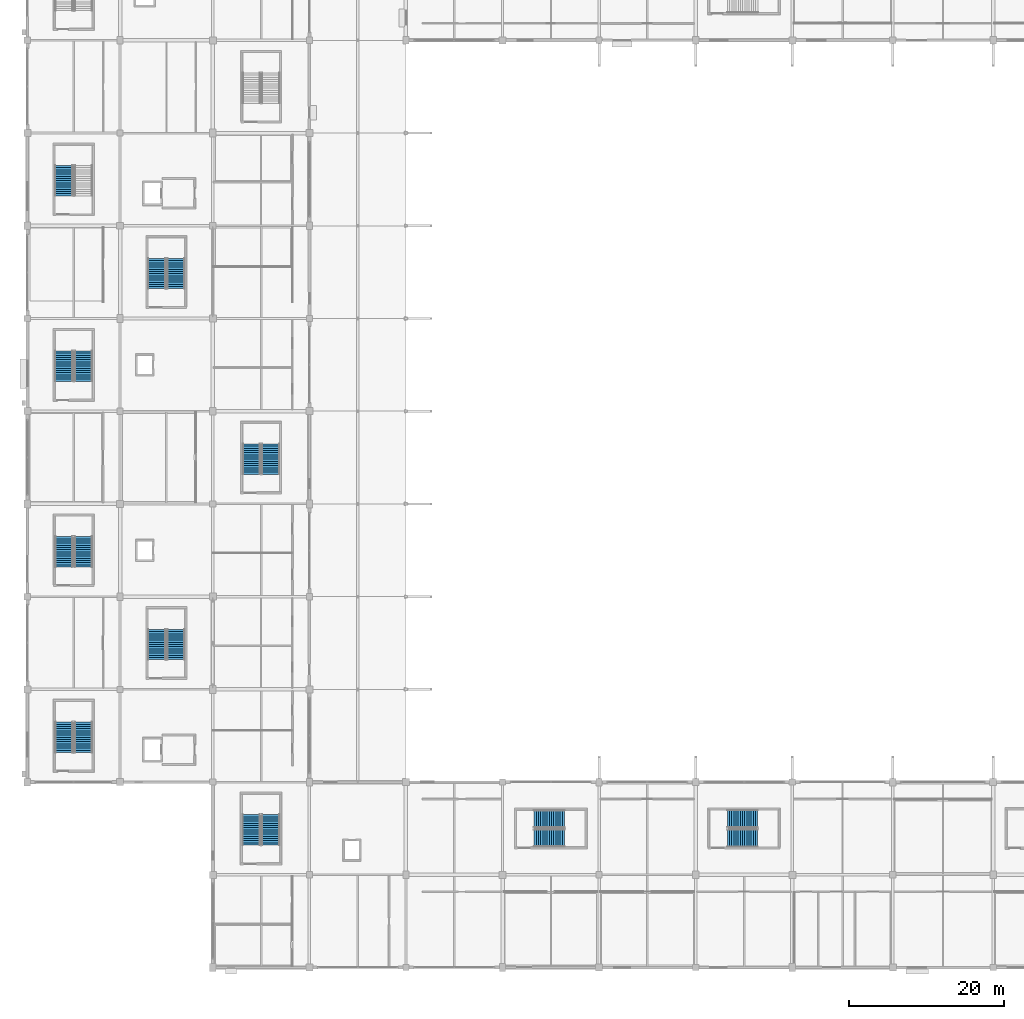
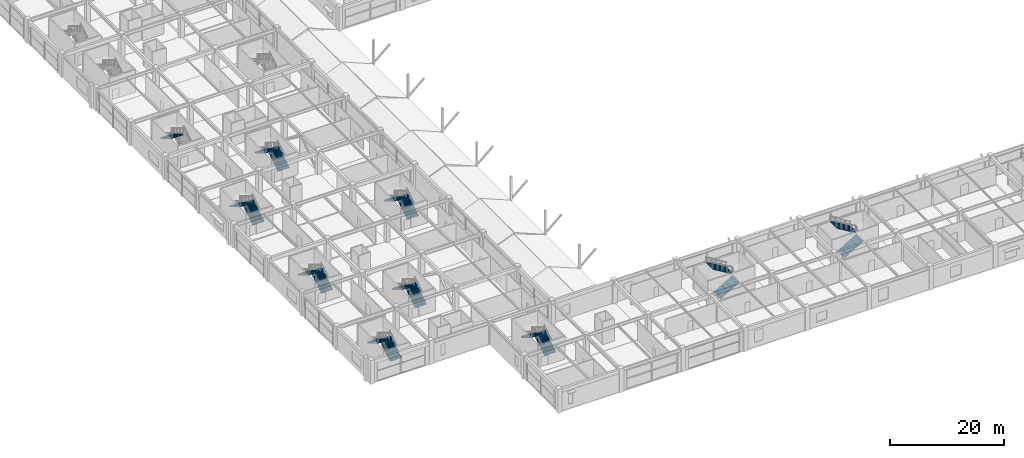
# One storey, part 83 of 116: 19 stair flights, 10 elements without a shape of their own.
"""IFC4 building model written with IfcOpenShell, lengths in metres."""

from ifc_helpers import new_model, si_unit, direction, frame, origin, place, context, subcontext, project, spatial, polyline, outline, extrude, material, type_object, element, aggregate, save


model = new_model("IFC4")

# Units and contexts
model_context = context("Model", 3, precision=1e-05, world=origin(), true_north=direction((0.0, 1.0)))
body_context = subcontext(model_context, "Body", "Model", "MODEL_VIEW")
ifc_project = project(units=[si_unit("LENGTHUNIT", "METRE"), si_unit("AREAUNIT", "SQUARE_METRE"), si_unit("VOLUMEUNIT", "CUBIC_METRE"), si_unit("PLANEANGLEUNIT", "RADIAN"), si_unit("MASSUNIT", "GRAM", prefix="KILO")], contexts=[model_context])

# Site, building, storey
site_placement = place(None, origin())
site = spatial("IfcSite", under=ifc_project, at=site_placement, CompositionType="ELEMENT")
building_placement = place(site_placement, origin())
building = spatial("IfcBuilding", under=site, at=building_placement, Name="Kazenohara Klinker Stadium", CompositionType="ELEMENT")
storey_placement = place(building_placement, frame((0.0, 0.0, 10.199951171875)))
storey = spatial("IfcBuildingStorey", under=building, at=storey_placement, Name="L02", CompositionType="ELEMENT", Elevation=10.199951171875)

# Stair, stair flights
ifc_material = material(Name="Concrete C40/50", Category="concrete")
stair_type_1 = type_object("IfcStairType", Name="STR-DL-2300", PredefinedType="HALF_TURN_STAIR", material=ifc_material)
stair_1_placement = place(storey_placement, origin())
stair_1 = element("IfcStair", 1, at=stair_1_placement, inside=storey, type_object=stair_type_1, Name="L02 Enclosed escape stair ST01", PredefinedType="HALF_TURN_STAIR")
stair_flight_type_1 = type_object("IfcStairFlightType", Name="FLT-DL-2300-5100", PredefinedType="STRAIGHT", material=ifc_material)
stair_flight_1_placement = place(storey_placement, frame((7.25, 39.840087890625, 0.0), z_axis=(0.0, 0.0, 1.0), x_axis=(0.0, 1.0, 0.0)))
stair_flight_1 = element("IfcStairFlight", 2, at=stair_flight_1_placement, type_object=stair_flight_type_1, Name="ST01 flight 1", NumberOfRisers=15, NumberOfTreads=14, PredefinedType="STRAIGHT", RiserHeight=0.17, TreadLength=0.28, context=body_context, shape_type="SweptSolid", body=[
    extrude(outline(polyline([(0.0, 0.0), (0.0, 0.169921875), (0.280029296875, 0.169921875), (0.280029296875, 0.340087890625), (0.56005859375, 0.340087890625), (0.56005859375, 0.510009765625), (0.840087890625, 0.510009765625), (0.840087890625, 0.679931640625), (1.1201171875, 0.679931640625), (1.1201171875, 0.85009765625), (1.39990234375, 0.85009765625), (1.39990234375, 1.02001953125), (1.679931640625, 1.02001953125), (1.679931640625, 1.18994140625), (1.9599609375, 1.18994140625), (1.9599609375, 1.360107421875), (2.239990234375, 1.360107421875), (2.239990234375, 1.530029296875), (2.52001953125, 1.530029296875), (2.52001953125, 1.699951171875), (2.800048828125, 1.699951171875), (2.800048828125, 1.8701171875), (3.080078125, 1.8701171875), (3.080078125, 2.0400390625), (3.360107421875, 2.0400390625), (3.360107421875, 2.2099609375), (3.639892578125, 2.2099609375), (3.639892578125, 2.3798828125), (3.919921875, 2.3798828125), (3.919921875, 2.550048828125), (3.919921875, 2.20458984375), (0.288818359375, 0.0), (0.0, 0.0)])), frame((0.0, 1.14990234375, 0.0), z_axis=(0.0, -1.0, 0.0), x_axis=(1.0, 0.0, 0.0)), (0.0, 0.0, 1.0), 2.300048828125),
])
stair_flight_2_placement = place(storey_placement, frame((4.75, 43.760009765625, 2.550048828125), z_axis=(0.0, 0.0, 1.0), x_axis=(0.0, -1.0, 0.0)))
stair_flight_2 = element("IfcStairFlight", 3, at=stair_flight_2_placement, type_object=stair_flight_type_1, Name="ST01 flight 2", NumberOfRisers=15, NumberOfTreads=14, PredefinedType="STRAIGHT", RiserHeight=0.17, TreadLength=0.28, context=body_context, shape_type="SweptSolid", body=[
    extrude(outline(polyline([(0.0, 0.0), (0.0, 0.169921875), (0.280029296875, 0.169921875), (0.280029296875, 0.340087890625), (0.56005859375, 0.340087890625), (0.56005859375, 0.510009765625), (0.840087890625, 0.510009765625), (0.840087890625, 0.679931640625), (1.1201171875, 0.679931640625), (1.1201171875, 0.85009765625), (1.39990234375, 0.85009765625), (1.39990234375, 1.02001953125), (1.679931640625, 1.02001953125), (1.679931640625, 1.18994140625), (1.9599609375, 1.18994140625), (1.9599609375, 1.360107421875), (2.239990234375, 1.360107421875), (2.239990234375, 1.530029296875), (2.52001953125, 1.530029296875), (2.52001953125, 1.699951171875), (2.800048828125, 1.699951171875), (2.800048828125, 1.8701171875), (3.080078125, 1.8701171875), (3.080078125, 2.0400390625), (3.360107421875, 2.0400390625), (3.360107421875, 2.2099609375), (3.639892578125, 2.2099609375), (3.639892578125, 2.3798828125), (3.919921875, 2.3798828125), (3.919921875, 2.550048828125), (3.919921875, 2.20458984375), (0.288818359375, 0.0), (0.0, 0.0)])), frame((0.0, 1.14990234375, 0.0), z_axis=(0.0, -1.0, 0.0), x_axis=(1.0, 0.0, 0.0)), (0.0, 0.0, 1.0), 2.300048828125),
])
aggregate(stair_1, [stair_flight_1, stair_flight_2])

stair_2_placement = place(storey_placement, origin())
stair_2 = element("IfcStair", 4, at=stair_2_placement, inside=storey, type_object=stair_type_1, Name="L02 Enclosed escape stair ST13", PredefinedType="HALF_TURN_STAIR")
stair_flight_3_placement = place(storey_placement, frame((19.25, 51.840087890625, 0.0), z_axis=(0.0, 0.0, 1.0), x_axis=(0.0, 1.0, 0.0)))
stair_flight_3 = element("IfcStairFlight", 5, at=stair_flight_3_placement, type_object=stair_flight_type_1, Name="ST13 flight 1", NumberOfRisers=15, NumberOfTreads=14, PredefinedType="STRAIGHT", RiserHeight=0.17, TreadLength=0.28, context=body_context, shape_type="SweptSolid", body=[
    extrude(outline(polyline([(0.0, 0.0), (0.0, 0.169921875), (0.280029296875, 0.169921875), (0.280029296875, 0.340087890625), (0.56005859375, 0.340087890625), (0.56005859375, 0.510009765625), (0.840087890625, 0.510009765625), (0.840087890625, 0.679931640625), (1.1201171875, 0.679931640625), (1.1201171875, 0.85009765625), (1.39990234375, 0.85009765625), (1.39990234375, 1.02001953125), (1.679931640625, 1.02001953125), (1.679931640625, 1.18994140625), (1.9599609375, 1.18994140625), (1.9599609375, 1.360107421875), (2.239990234375, 1.360107421875), (2.239990234375, 1.530029296875), (2.52001953125, 1.530029296875), (2.52001953125, 1.699951171875), (2.800048828125, 1.699951171875), (2.800048828125, 1.8701171875), (3.080078125, 1.8701171875), (3.080078125, 2.0400390625), (3.360107421875, 2.0400390625), (3.360107421875, 2.2099609375), (3.639892578125, 2.2099609375), (3.639892578125, 2.3798828125), (3.919921875, 2.3798828125), (3.919921875, 2.550048828125), (3.919921875, 2.20458984375), (0.288818359375, 0.0), (0.0, 0.0)])), frame((0.0, 1.14990234375, 0.0), z_axis=(0.0, -1.0, 0.0), x_axis=(1.0, 0.0, 0.0)), (0.0, 0.0, 1.0), 2.300048828125),
])
stair_flight_4_placement = place(storey_placement, frame((16.75, 55.760009765625, 2.550048828125), z_axis=(0.0, 0.0, 1.0), x_axis=(0.0, -1.0, 0.0)))
stair_flight_4 = element("IfcStairFlight", 6, at=stair_flight_4_placement, type_object=stair_flight_type_1, Name="ST13 flight 2", NumberOfRisers=15, NumberOfTreads=14, PredefinedType="STRAIGHT", RiserHeight=0.17, TreadLength=0.28, context=body_context, shape_type="SweptSolid", body=[
    extrude(outline(polyline([(0.0, 0.0), (0.0, 0.169921875), (0.280029296875, 0.169921875), (0.280029296875, 0.340087890625), (0.56005859375, 0.340087890625), (0.56005859375, 0.510009765625), (0.840087890625, 0.510009765625), (0.840087890625, 0.679931640625), (1.1201171875, 0.679931640625), (1.1201171875, 0.85009765625), (1.39990234375, 0.85009765625), (1.39990234375, 1.02001953125), (1.679931640625, 1.02001953125), (1.679931640625, 1.18994140625), (1.9599609375, 1.18994140625), (1.9599609375, 1.360107421875), (2.239990234375, 1.360107421875), (2.239990234375, 1.530029296875), (2.52001953125, 1.530029296875), (2.52001953125, 1.699951171875), (2.800048828125, 1.699951171875), (2.800048828125, 1.8701171875), (3.080078125, 1.8701171875), (3.080078125, 2.0400390625), (3.360107421875, 2.0400390625), (3.360107421875, 2.2099609375), (3.639892578125, 2.2099609375), (3.639892578125, 2.3798828125), (3.919921875, 2.3798828125), (3.919921875, 2.550048828125), (3.919921875, 2.20458984375), (0.288818359375, 0.0), (0.0, 0.0)])), frame((0.0, 1.14990234375, 0.0), z_axis=(0.0, -1.0, 0.0), x_axis=(1.0, 0.0, 0.0)), (0.0, 0.0, 1.0), 2.300048828125),
])
aggregate(stair_2, [stair_flight_3, stair_flight_4])

stair_3_placement = place(storey_placement, origin())
stair_3 = element("IfcStair", 7, at=stair_3_placement, inside=storey, type_object=stair_type_1, Name="L02 Enclosed escape stair ST17", PredefinedType="HALF_TURN_STAIR")
stair_flight_5_placement = place(storey_placement, frame((31.5, 75.840087890625, 0.0), z_axis=(0.0, 0.0, 1.0), x_axis=(0.0, 1.0, 0.0)))
stair_flight_5 = element("IfcStairFlight", 8, at=stair_flight_5_placement, type_object=stair_flight_type_1, Name="ST17 flight 1", NumberOfRisers=15, NumberOfTreads=14, PredefinedType="STRAIGHT", RiserHeight=0.17, TreadLength=0.28, context=body_context, shape_type="SweptSolid", body=[
    extrude(outline(polyline([(0.0, 0.0), (0.0, 0.169921875), (0.280029296875, 0.169921875), (0.280029296875, 0.340087890625), (0.56005859375, 0.340087890625), (0.56005859375, 0.510009765625), (0.840087890625, 0.510009765625), (0.840087890625, 0.679931640625), (1.1201171875, 0.679931640625), (1.1201171875, 0.85009765625), (1.39990234375, 0.85009765625), (1.39990234375, 1.02001953125), (1.679931640625, 1.02001953125), (1.679931640625, 1.18994140625), (1.9599609375, 1.18994140625), (1.9599609375, 1.360107421875), (2.239990234375, 1.360107421875), (2.239990234375, 1.530029296875), (2.52001953125, 1.530029296875), (2.52001953125, 1.699951171875), (2.800048828125, 1.699951171875), (2.800048828125, 1.8701171875), (3.080078125, 1.8701171875), (3.080078125, 2.0400390625), (3.360107421875, 2.0400390625), (3.360107421875, 2.2099609375), (3.639892578125, 2.2099609375), (3.639892578125, 2.3798828125), (3.919921875, 2.3798828125), (3.919921875, 2.550048828125), (3.919921875, 2.20458984375), (0.288818359375, 0.0), (0.0, 0.0)])), frame((0.0, 1.14990234375, 0.0), z_axis=(0.0, -1.0, 0.0), x_axis=(1.0, 0.0, 0.0)), (0.0, 0.0, 1.0), 2.300048828125),
])
stair_flight_6_placement = place(storey_placement, frame((29.0, 79.760009765625, 2.550048828125), z_axis=(0.0, 0.0, 1.0), x_axis=(0.0, -1.0, 0.0)))
stair_flight_6 = element("IfcStairFlight", 9, at=stair_flight_6_placement, type_object=stair_flight_type_1, Name="ST17 flight 2", NumberOfRisers=15, NumberOfTreads=14, PredefinedType="STRAIGHT", RiserHeight=0.17, TreadLength=0.28, context=body_context, shape_type="SweptSolid", body=[
    extrude(outline(polyline([(0.0, 0.0), (0.0, 0.169921875), (0.280029296875, 0.169921875), (0.280029296875, 0.340087890625), (0.56005859375, 0.340087890625), (0.56005859375, 0.510009765625), (0.840087890625, 0.510009765625), (0.840087890625, 0.679931640625), (1.1201171875, 0.679931640625), (1.1201171875, 0.85009765625), (1.39990234375, 0.85009765625), (1.39990234375, 1.02001953125), (1.679931640625, 1.02001953125), (1.679931640625, 1.18994140625), (1.9599609375, 1.18994140625), (1.9599609375, 1.360107421875), (2.239990234375, 1.360107421875), (2.239990234375, 1.530029296875), (2.52001953125, 1.530029296875), (2.52001953125, 1.699951171875), (2.800048828125, 1.699951171875), (2.800048828125, 1.8701171875), (3.080078125, 1.8701171875), (3.080078125, 2.0400390625), (3.360107421875, 2.0400390625), (3.360107421875, 2.2099609375), (3.639892578125, 2.2099609375), (3.639892578125, 2.3798828125), (3.919921875, 2.3798828125), (3.919921875, 2.550048828125), (3.919921875, 2.20458984375), (0.288818359375, 0.0), (0.0, 0.0)])), frame((0.0, 1.14990234375, 0.0), z_axis=(0.0, -1.0, 0.0), x_axis=(1.0, 0.0, 0.0)), (0.0, 0.0, 1.0), 2.300048828125),
])
aggregate(stair_3, [stair_flight_5, stair_flight_6])

stair_4_placement = place(storey_placement, origin())
stair_4 = element("IfcStair", 10, at=stair_4_placement, inside=storey, type_object=stair_type_1, Name="L02 Enclosed escape stair ST25", PredefinedType="HALF_TURN_STAIR")
stair_flight_7_placement = place(storey_placement, frame((65.590087890625, 28.75, 0.0), z_axis=(0.0, 0.0, 1.0), x_axis=(1.0, 0.0, 0.0)))
stair_flight_7 = element("IfcStairFlight", 11, at=stair_flight_7_placement, type_object=stair_flight_type_1, Name="ST25 flight 1", NumberOfRisers=15, NumberOfTreads=14, PredefinedType="STRAIGHT", RiserHeight=0.17, TreadLength=0.28, context=body_context, shape_type="SweptSolid", body=[
    extrude(outline(polyline([(0.0, 0.0), (0.0, 0.169921875), (0.280029296875, 0.169921875), (0.280029296875, 0.340087890625), (0.56005859375, 0.340087890625), (0.56005859375, 0.510009765625), (0.840087890625, 0.510009765625), (0.840087890625, 0.679931640625), (1.1201171875, 0.679931640625), (1.1201171875, 0.85009765625), (1.39990234375, 0.85009765625), (1.39990234375, 1.02001953125), (1.679931640625, 1.02001953125), (1.679931640625, 1.18994140625), (1.9599609375, 1.18994140625), (1.9599609375, 1.360107421875), (2.239990234375, 1.360107421875), (2.239990234375, 1.530029296875), (2.52001953125, 1.530029296875), (2.52001953125, 1.699951171875), (2.800048828125, 1.699951171875), (2.800048828125, 1.8701171875), (3.080078125, 1.8701171875), (3.080078125, 2.0400390625), (3.360107421875, 2.0400390625), (3.360107421875, 2.2099609375), (3.639892578125, 2.2099609375), (3.639892578125, 2.3798828125), (3.919921875, 2.3798828125), (3.919921875, 2.550048828125), (3.919921875, 2.20458984375), (0.288818359375, 0.0), (0.0, 0.0)])), frame((0.0, 1.14990234375, 0.0), z_axis=(0.0, -1.0, 0.0), x_axis=(1.0, 0.0, 0.0)), (0.0, 0.0, 1.0), 2.300048828125),
])
stair_flight_8_placement = place(storey_placement, frame((69.510009765625, 31.25, 2.550048828125), z_axis=(0.0, 0.0, 1.0), x_axis=(-1.0, 0.0, 0.0)))
stair_flight_8 = element("IfcStairFlight", 12, at=stair_flight_8_placement, type_object=stair_flight_type_1, Name="ST25 flight 2", NumberOfRisers=15, NumberOfTreads=14, PredefinedType="STRAIGHT", RiserHeight=0.17, TreadLength=0.28, context=body_context, shape_type="SweptSolid", body=[
    extrude(outline(polyline([(0.0, 0.0), (0.0, 0.169921875), (0.280029296875, 0.169921875), (0.280029296875, 0.340087890625), (0.56005859375, 0.340087890625), (0.56005859375, 0.510009765625), (0.840087890625, 0.510009765625), (0.840087890625, 0.679931640625), (1.1201171875, 0.679931640625), (1.1201171875, 0.85009765625), (1.39990234375, 0.85009765625), (1.39990234375, 1.02001953125), (1.679931640625, 1.02001953125), (1.679931640625, 1.18994140625), (1.9599609375, 1.18994140625), (1.9599609375, 1.360107421875), (2.239990234375, 1.360107421875), (2.239990234375, 1.530029296875), (2.52001953125, 1.530029296875), (2.52001953125, 1.699951171875), (2.800048828125, 1.699951171875), (2.800048828125, 1.8701171875), (3.080078125, 1.8701171875), (3.080078125, 2.0400390625), (3.360107421875, 2.0400390625), (3.360107421875, 2.2099609375), (3.639892578125, 2.2099609375), (3.639892578125, 2.3798828125), (3.919921875, 2.3798828125), (3.919921875, 2.550048828125), (3.919921875, 2.20458984375), (0.288818359375, 0.0), (0.0, 0.0)])), frame((0.0, 1.14990234375, 0.0), z_axis=(0.0, -1.0, 0.0), x_axis=(1.0, 0.0, 0.0)), (0.0, 0.0, 1.0), 2.300048828125),
])
aggregate(stair_4, [stair_flight_7, stair_flight_8])

stair_type_2 = type_object("IfcStairType", Name="STR-DL-2310", PredefinedType="HALF_TURN_STAIR", material=ifc_material)
stair_5_placement = place(storey_placement, origin())
stair_5 = element("IfcStair", 13, at=stair_5_placement, inside=storey, type_object=stair_type_2, Name="L02 Enclosed escape stair ST02", PredefinedType="HALF_TURN_STAIR")
stair_flight_type_2 = type_object("IfcStairFlightType", Name="FLT-DL-2310-5100", PredefinedType="STRAIGHT", material=ifc_material)
stair_flight_9_placement = place(storey_placement, frame((7.2548828125, 63.85009765625, 0.0), z_axis=(0.0, 0.0, 1.0), x_axis=(0.0, 1.0, 0.0)))
stair_flight_9 = element("IfcStairFlight", 14, at=stair_flight_9_placement, type_object=stair_flight_type_2, Name="ST02 flight 1", NumberOfRisers=15, NumberOfTreads=14, PredefinedType="STRAIGHT", RiserHeight=0.17, TreadLength=0.28, context=body_context, shape_type="SweptSolid", body=[
    extrude(outline(polyline([(0.0, 0.0), (0.0, 0.169921875), (0.280029296875, 0.169921875), (0.280029296875, 0.340087890625), (0.56005859375, 0.340087890625), (0.56005859375, 0.510009765625), (0.840087890625, 0.510009765625), (0.840087890625, 0.679931640625), (1.1201171875, 0.679931640625), (1.1201171875, 0.85009765625), (1.39990234375, 0.85009765625), (1.39990234375, 1.02001953125), (1.679931640625, 1.02001953125), (1.679931640625, 1.18994140625), (1.9599609375, 1.18994140625), (1.9599609375, 1.360107421875), (2.239990234375, 1.360107421875), (2.239990234375, 1.530029296875), (2.52001953125, 1.530029296875), (2.52001953125, 1.699951171875), (2.800048828125, 1.699951171875), (2.800048828125, 1.8701171875), (3.080078125, 1.8701171875), (3.080078125, 2.0400390625), (3.360107421875, 2.0400390625), (3.360107421875, 2.2099609375), (3.639892578125, 2.2099609375), (3.639892578125, 2.3798828125), (3.919921875, 2.3798828125), (3.919921875, 2.550048828125), (3.919921875, 2.20458984375), (0.288818359375, 0.0), (0.0, 0.0)])), frame((0.0, 1.155029296875, 0.0), z_axis=(0.0, -1.0, 0.0), x_axis=(1.0, 0.0, 0.0)), (0.0, 0.0, 1.0), 2.31005859375),
])
stair_flight_10_placement = place(storey_placement, frame((4.7451171875, 67.77001953125, 2.550048828125), z_axis=(0.0, 0.0, 1.0), x_axis=(0.0, -1.0, 0.0)))
stair_flight_10 = element("IfcStairFlight", 15, at=stair_flight_10_placement, type_object=stair_flight_type_2, Name="ST02 flight 2", NumberOfRisers=15, NumberOfTreads=14, PredefinedType="STRAIGHT", RiserHeight=0.17, TreadLength=0.28, context=body_context, shape_type="SweptSolid", body=[
    extrude(outline(polyline([(0.0, 0.0), (0.0, 0.169921875), (0.280029296875, 0.169921875), (0.280029296875, 0.340087890625), (0.56005859375, 0.340087890625), (0.56005859375, 0.510009765625), (0.840087890625, 0.510009765625), (0.840087890625, 0.679931640625), (1.1201171875, 0.679931640625), (1.1201171875, 0.85009765625), (1.39990234375, 0.85009765625), (1.39990234375, 1.02001953125), (1.679931640625, 1.02001953125), (1.679931640625, 1.18994140625), (1.9599609375, 1.18994140625), (1.9599609375, 1.360107421875), (2.239990234375, 1.360107421875), (2.239990234375, 1.530029296875), (2.52001953125, 1.530029296875), (2.52001953125, 1.699951171875), (2.800048828125, 1.699951171875), (2.800048828125, 1.8701171875), (3.080078125, 1.8701171875), (3.080078125, 2.0400390625), (3.360107421875, 2.0400390625), (3.360107421875, 2.2099609375), (3.639892578125, 2.2099609375), (3.639892578125, 2.3798828125), (3.919921875, 2.3798828125), (3.919921875, 2.550048828125), (3.919921875, 2.20458984375), (0.288818359375, 0.0), (0.0, 0.0)])), frame((0.0, 1.155029296875, 0.0), z_axis=(0.0, -1.0, 0.0), x_axis=(1.0, 0.0, 0.0)), (0.0, 0.0, 1.0), 2.31005859375),
])
aggregate(stair_5, [stair_flight_9, stair_flight_10])

stair_6_placement = place(storey_placement, origin())
stair_6 = element("IfcStair", 16, at=stair_6_placement, inside=storey, type_object=stair_type_2, Name="L02 Enclosed escape stair ST14", PredefinedType="HALF_TURN_STAIR")
stair_flight_11_placement = place(storey_placement, frame((19.2548828125, 99.85009765625, 0.0), z_axis=(0.0, 0.0, 1.0), x_axis=(0.0, 1.0, 0.0)))
stair_flight_11 = element("IfcStairFlight", 17, at=stair_flight_11_placement, type_object=stair_flight_type_2, Name="ST14 flight 1", NumberOfRisers=15, NumberOfTreads=14, PredefinedType="STRAIGHT", RiserHeight=0.17, TreadLength=0.28, context=body_context, shape_type="SweptSolid", body=[
    extrude(outline(polyline([(0.0, 0.0), (0.0, 0.169921875), (0.280029296875, 0.169921875), (0.280029296875, 0.340087890625), (0.56005859375, 0.340087890625), (0.56005859375, 0.510009765625), (0.840087890625, 0.510009765625), (0.840087890625, 0.679931640625), (1.1201171875, 0.679931640625), (1.1201171875, 0.85009765625), (1.39990234375, 0.85009765625), (1.39990234375, 1.02001953125), (1.679931640625, 1.02001953125), (1.679931640625, 1.18994140625), (1.9599609375, 1.18994140625), (1.9599609375, 1.360107421875), (2.239990234375, 1.360107421875), (2.239990234375, 1.530029296875), (2.52001953125, 1.530029296875), (2.52001953125, 1.699951171875), (2.800048828125, 1.699951171875), (2.800048828125, 1.8701171875), (3.080078125, 1.8701171875), (3.080078125, 2.0400390625), (3.360107421875, 2.0400390625), (3.360107421875, 2.2099609375), (3.639892578125, 2.2099609375), (3.639892578125, 2.3798828125), (3.919921875, 2.3798828125), (3.919921875, 2.550048828125), (3.919921875, 2.20458984375), (0.288818359375, 0.0), (0.0, 0.0)])), frame((0.0, 1.155029296875, 0.0), z_axis=(0.0, -1.0, 0.0), x_axis=(1.0, 0.0, 0.0)), (0.0, 0.0, 1.0), 2.31005859375),
])
stair_flight_12_placement = place(storey_placement, frame((16.7451171875, 103.77001953125, 2.550048828125), z_axis=(0.0, 0.0, 1.0), x_axis=(0.0, -1.0, 0.0)))
stair_flight_12 = element("IfcStairFlight", 18, at=stair_flight_12_placement, type_object=stair_flight_type_2, Name="ST14 flight 2", NumberOfRisers=15, NumberOfTreads=14, PredefinedType="STRAIGHT", RiserHeight=0.17, TreadLength=0.28, context=body_context, shape_type="SweptSolid", body=[
    extrude(outline(polyline([(0.0, 0.0), (0.0, 0.169921875), (0.280029296875, 0.169921875), (0.280029296875, 0.340087890625), (0.56005859375, 0.340087890625), (0.56005859375, 0.510009765625), (0.840087890625, 0.510009765625), (0.840087890625, 0.679931640625), (1.1201171875, 0.679931640625), (1.1201171875, 0.85009765625), (1.39990234375, 0.85009765625), (1.39990234375, 1.02001953125), (1.679931640625, 1.02001953125), (1.679931640625, 1.18994140625), (1.9599609375, 1.18994140625), (1.9599609375, 1.360107421875), (2.239990234375, 1.360107421875), (2.239990234375, 1.530029296875), (2.52001953125, 1.530029296875), (2.52001953125, 1.699951171875), (2.800048828125, 1.699951171875), (2.800048828125, 1.8701171875), (3.080078125, 1.8701171875), (3.080078125, 2.0400390625), (3.360107421875, 2.0400390625), (3.360107421875, 2.2099609375), (3.639892578125, 2.2099609375), (3.639892578125, 2.3798828125), (3.919921875, 2.3798828125), (3.919921875, 2.550048828125), (3.919921875, 2.20458984375), (0.288818359375, 0.0), (0.0, 0.0)])), frame((0.0, 1.155029296875, 0.0), z_axis=(0.0, -1.0, 0.0), x_axis=(1.0, 0.0, 0.0)), (0.0, 0.0, 1.0), 2.31005859375),
])
aggregate(stair_6, [stair_flight_11, stair_flight_12])

stair_7_placement = place(storey_placement, origin())
stair_7 = element("IfcStair", 19, at=stair_7_placement, inside=storey, type_object=stair_type_2, Name="L02 Enclosed escape stair ST26", PredefinedType="HALF_TURN_STAIR")
stair_flight_13_placement = place(storey_placement, frame((90.60009765625, 28.7451171875, 0.0), z_axis=(0.0, 0.0, 1.0), x_axis=(1.0, 0.0, 0.0)))
stair_flight_13 = element("IfcStairFlight", 20, at=stair_flight_13_placement, type_object=stair_flight_type_2, Name="ST26 flight 1", NumberOfRisers=15, NumberOfTreads=14, PredefinedType="STRAIGHT", RiserHeight=0.17, TreadLength=0.28, context=body_context, shape_type="SweptSolid", body=[
    extrude(outline(polyline([(0.0, 0.0), (0.0, 0.169921875), (0.280029296875, 0.169921875), (0.280029296875, 0.340087890625), (0.56005859375, 0.340087890625), (0.56005859375, 0.510009765625), (0.840087890625, 0.510009765625), (0.840087890625, 0.679931640625), (1.1201171875, 0.679931640625), (1.1201171875, 0.85009765625), (1.39990234375, 0.85009765625), (1.39990234375, 1.02001953125), (1.679931640625, 1.02001953125), (1.679931640625, 1.18994140625), (1.9599609375, 1.18994140625), (1.9599609375, 1.360107421875), (2.239990234375, 1.360107421875), (2.239990234375, 1.530029296875), (2.52001953125, 1.530029296875), (2.52001953125, 1.699951171875), (2.800048828125, 1.699951171875), (2.800048828125, 1.8701171875), (3.080078125, 1.8701171875), (3.080078125, 2.0400390625), (3.360107421875, 2.0400390625), (3.360107421875, 2.2099609375), (3.639892578125, 2.2099609375), (3.639892578125, 2.3798828125), (3.919921875, 2.3798828125), (3.919921875, 2.550048828125), (3.919921875, 2.20458984375), (0.288818359375, 0.0), (0.0, 0.0)])), frame((0.0, 1.155029296875, 0.0), z_axis=(0.0, -1.0, 0.0), x_axis=(1.0, 0.0, 0.0)), (0.0, 0.0, 1.0), 2.31005859375),
])
stair_flight_14_placement = place(storey_placement, frame((94.52001953125, 31.2548828125, 2.550048828125), z_axis=(0.0, 0.0, 1.0), x_axis=(-1.0, 0.0, 0.0)))
stair_flight_14 = element("IfcStairFlight", 21, at=stair_flight_14_placement, type_object=stair_flight_type_2, Name="ST26 flight 2", NumberOfRisers=15, NumberOfTreads=14, PredefinedType="STRAIGHT", RiserHeight=0.17, TreadLength=0.28, context=body_context, shape_type="SweptSolid", body=[
    extrude(outline(polyline([(0.0, 0.0), (0.0, 0.169921875), (0.280029296875, 0.169921875), (0.280029296875, 0.340087890625), (0.56005859375, 0.340087890625), (0.56005859375, 0.510009765625), (0.840087890625, 0.510009765625), (0.840087890625, 0.679931640625), (1.1201171875, 0.679931640625), (1.1201171875, 0.85009765625), (1.39990234375, 0.85009765625), (1.39990234375, 1.02001953125), (1.679931640625, 1.02001953125), (1.679931640625, 1.18994140625), (1.9599609375, 1.18994140625), (1.9599609375, 1.360107421875), (2.239990234375, 1.360107421875), (2.239990234375, 1.530029296875), (2.52001953125, 1.530029296875), (2.52001953125, 1.699951171875), (2.800048828125, 1.699951171875), (2.800048828125, 1.8701171875), (3.080078125, 1.8701171875), (3.080078125, 2.0400390625), (3.360107421875, 2.0400390625), (3.360107421875, 2.2099609375), (3.639892578125, 2.2099609375), (3.639892578125, 2.3798828125), (3.919921875, 2.3798828125), (3.919921875, 2.550048828125), (3.919921875, 2.20458984375), (0.288818359375, 0.0), (0.0, 0.0)])), frame((0.0, 1.155029296875, 0.0), z_axis=(0.0, -1.0, 0.0), x_axis=(1.0, 0.0, 0.0)), (0.0, 0.0, 1.0), 2.31005859375),
])
aggregate(stair_7, [stair_flight_13, stair_flight_14])

stair_type_3 = type_object("IfcStairType", Name="STR-DL-2330", PredefinedType="HALF_TURN_STAIR", material=ifc_material)
stair_8_placement = place(storey_placement, origin())
stair_8 = element("IfcStair", 22, at=stair_8_placement, inside=storey, type_object=stair_type_3, Name="L02 Enclosed escape stair ST03", PredefinedType="HALF_TURN_STAIR")
stair_flight_type_3 = type_object("IfcStairFlightType", Name="FLT-DL-2330-5100", PredefinedType="STRAIGHT", material=ifc_material)
stair_flight_15_placement = place(storey_placement, frame((7.264892578125, 87.8701171875, 0.0), z_axis=(0.0, 0.0, 1.0), x_axis=(0.0, 1.0, 0.0)))
stair_flight_15 = element("IfcStairFlight", 23, at=stair_flight_15_placement, type_object=stair_flight_type_3, Name="ST03 flight 1", NumberOfRisers=15, NumberOfTreads=14, PredefinedType="STRAIGHT", RiserHeight=0.17, TreadLength=0.28, context=body_context, shape_type="SweptSolid", body=[
    extrude(outline(polyline([(0.0, 0.0), (0.0, 0.169921875), (0.280029296875, 0.169921875), (0.280029296875, 0.340087890625), (0.56005859375, 0.340087890625), (0.56005859375, 0.510009765625), (0.840087890625, 0.510009765625), (0.840087890625, 0.679931640625), (1.1201171875, 0.679931640625), (1.1201171875, 0.85009765625), (1.39990234375, 0.85009765625), (1.39990234375, 1.02001953125), (1.679931640625, 1.02001953125), (1.679931640625, 1.18994140625), (1.9599609375, 1.18994140625), (1.9599609375, 1.360107421875), (2.239990234375, 1.360107421875), (2.239990234375, 1.530029296875), (2.52001953125, 1.530029296875), (2.52001953125, 1.699951171875), (2.800048828125, 1.699951171875), (2.800048828125, 1.8701171875), (3.080078125, 1.8701171875), (3.080078125, 2.0400390625), (3.360107421875, 2.0400390625), (3.360107421875, 2.2099609375), (3.639892578125, 2.2099609375), (3.639892578125, 2.3798828125), (3.919921875, 2.3798828125), (3.919921875, 2.550048828125), (3.919921875, 2.20458984375), (0.288818359375, 0.0), (0.0, 0.0)])), frame((0.0, 1.1650390625, 0.0), z_axis=(0.0, -1.0, 0.0), x_axis=(1.0, 0.0, 0.0)), (0.0, 0.0, 1.0), 2.330078125),
])
stair_flight_16_placement = place(storey_placement, frame((4.735107421875, 91.7900390625, 2.550048828125), z_axis=(0.0, 0.0, 1.0), x_axis=(0.0, -1.0, 0.0)))
stair_flight_16 = element("IfcStairFlight", 24, at=stair_flight_16_placement, type_object=stair_flight_type_3, Name="ST03 flight 2", NumberOfRisers=15, NumberOfTreads=14, PredefinedType="STRAIGHT", RiserHeight=0.17, TreadLength=0.28, context=body_context, shape_type="SweptSolid", body=[
    extrude(outline(polyline([(0.0, 0.0), (0.0, 0.169921875), (0.280029296875, 0.169921875), (0.280029296875, 0.340087890625), (0.56005859375, 0.340087890625), (0.56005859375, 0.510009765625), (0.840087890625, 0.510009765625), (0.840087890625, 0.679931640625), (1.1201171875, 0.679931640625), (1.1201171875, 0.85009765625), (1.39990234375, 0.85009765625), (1.39990234375, 1.02001953125), (1.679931640625, 1.02001953125), (1.679931640625, 1.18994140625), (1.9599609375, 1.18994140625), (1.9599609375, 1.360107421875), (2.239990234375, 1.360107421875), (2.239990234375, 1.530029296875), (2.52001953125, 1.530029296875), (2.52001953125, 1.699951171875), (2.800048828125, 1.699951171875), (2.800048828125, 1.8701171875), (3.080078125, 1.8701171875), (3.080078125, 2.0400390625), (3.360107421875, 2.0400390625), (3.360107421875, 2.2099609375), (3.639892578125, 2.2099609375), (3.639892578125, 2.3798828125), (3.919921875, 2.3798828125), (3.919921875, 2.550048828125), (3.919921875, 2.20458984375), (0.288818359375, 0.0), (0.0, 0.0)])), frame((0.0, 1.1650390625, 0.0), z_axis=(0.0, -1.0, 0.0), x_axis=(1.0, 0.0, 0.0)), (0.0, 0.0, 1.0), 2.330078125),
])
aggregate(stair_8, [stair_flight_15, stair_flight_16])

stair_9_placement = place(storey_placement, origin())
stair_9 = element("IfcStair", 25, at=stair_9_placement, inside=storey, type_object=stair_type_3, Name="L02 Enclosed escape stair ST07", PredefinedType="HALF_TURN_STAIR")
stair_flight_17_placement = place(storey_placement, frame((31.514892578125, 27.8701171875, 0.0), z_axis=(0.0, 0.0, 1.0), x_axis=(0.0, 1.0, 0.0)))
stair_flight_17 = element("IfcStairFlight", 26, at=stair_flight_17_placement, type_object=stair_flight_type_3, Name="ST07 flight 1", NumberOfRisers=15, NumberOfTreads=14, PredefinedType="STRAIGHT", RiserHeight=0.17, TreadLength=0.28, context=body_context, shape_type="SweptSolid", body=[
    extrude(outline(polyline([(0.0, 0.0), (0.0, 0.169921875), (0.280029296875, 0.169921875), (0.280029296875, 0.340087890625), (0.56005859375, 0.340087890625), (0.56005859375, 0.510009765625), (0.840087890625, 0.510009765625), (0.840087890625, 0.679931640625), (1.1201171875, 0.679931640625), (1.1201171875, 0.85009765625), (1.39990234375, 0.85009765625), (1.39990234375, 1.02001953125), (1.679931640625, 1.02001953125), (1.679931640625, 1.18994140625), (1.9599609375, 1.18994140625), (1.9599609375, 1.360107421875), (2.239990234375, 1.360107421875), (2.239990234375, 1.530029296875), (2.52001953125, 1.530029296875), (2.52001953125, 1.699951171875), (2.800048828125, 1.699951171875), (2.800048828125, 1.8701171875), (3.080078125, 1.8701171875), (3.080078125, 2.0400390625), (3.360107421875, 2.0400390625), (3.360107421875, 2.2099609375), (3.639892578125, 2.2099609375), (3.639892578125, 2.3798828125), (3.919921875, 2.3798828125), (3.919921875, 2.550048828125), (3.919921875, 2.20458984375), (0.288818359375, 0.0), (0.0, 0.0)])), frame((0.0, 1.1650390625, 0.0), z_axis=(0.0, -1.0, 0.0), x_axis=(1.0, 0.0, 0.0)), (0.0, 0.0, 1.0), 2.330078125),
])
stair_flight_18_placement = place(storey_placement, frame((28.985107421875, 31.7900390625, 2.550048828125), z_axis=(0.0, 0.0, 1.0), x_axis=(0.0, -1.0, 0.0)))
stair_flight_18 = element("IfcStairFlight", 27, at=stair_flight_18_placement, type_object=stair_flight_type_3, Name="ST07 flight 2", NumberOfRisers=15, NumberOfTreads=14, PredefinedType="STRAIGHT", RiserHeight=0.17, TreadLength=0.28, context=body_context, shape_type="SweptSolid", body=[
    extrude(outline(polyline([(0.0, 0.0), (0.0, 0.169921875), (0.280029296875, 0.169921875), (0.280029296875, 0.340087890625), (0.56005859375, 0.340087890625), (0.56005859375, 0.510009765625), (0.840087890625, 0.510009765625), (0.840087890625, 0.679931640625), (1.1201171875, 0.679931640625), (1.1201171875, 0.85009765625), (1.39990234375, 0.85009765625), (1.39990234375, 1.02001953125), (1.679931640625, 1.02001953125), (1.679931640625, 1.18994140625), (1.9599609375, 1.18994140625), (1.9599609375, 1.360107421875), (2.239990234375, 1.360107421875), (2.239990234375, 1.530029296875), (2.52001953125, 1.530029296875), (2.52001953125, 1.699951171875), (2.800048828125, 1.699951171875), (2.800048828125, 1.8701171875), (3.080078125, 1.8701171875), (3.080078125, 2.0400390625), (3.360107421875, 2.0400390625), (3.360107421875, 2.2099609375), (3.639892578125, 2.2099609375), (3.639892578125, 2.3798828125), (3.919921875, 2.3798828125), (3.919921875, 2.550048828125), (3.919921875, 2.20458984375), (0.288818359375, 0.0), (0.0, 0.0)])), frame((0.0, 1.1650390625, 0.0), z_axis=(0.0, -1.0, 0.0), x_axis=(1.0, 0.0, 0.0)), (0.0, 0.0, 1.0), 2.330078125),
])
aggregate(stair_9, [stair_flight_17, stair_flight_18])

# Stair, stair flight
stair_type_4 = type_object("IfcStairType", Name="STR-DL-2340", PredefinedType="HALF_TURN_STAIR", material=ifc_material)
stair_10_placement = place(storey_placement, origin())
stair_10 = element("IfcStair", 28, at=stair_10_placement, inside=storey, type_object=stair_type_4, Name="L02 Enclosed escape stair ST04", PredefinedType="HALF_TURN_STAIR")
stair_flight_type_4 = type_object("IfcStairFlightType", Name="FLT-DL-2340-5100", PredefinedType="STRAIGHT", material=ifc_material)
stair_flight_19_placement = place(storey_placement, frame((4.72998046875, 115.800048828125, 2.550048828125), z_axis=(0.0, 0.0, 1.0), x_axis=(0.0, -1.0, 0.0)))
stair_flight_19 = element("IfcStairFlight", 29, at=stair_flight_19_placement, type_object=stair_flight_type_4, Name="ST04 flight 2", NumberOfRisers=15, NumberOfTreads=14, PredefinedType="STRAIGHT", RiserHeight=0.17, TreadLength=0.28, context=body_context, shape_type="SweptSolid", body=[
    extrude(outline(polyline([(0.0, 0.0), (0.0, 0.169921875), (0.280029296875, 0.169921875), (0.280029296875, 0.340087890625), (0.56005859375, 0.340087890625), (0.56005859375, 0.510009765625), (0.840087890625, 0.510009765625), (0.840087890625, 0.679931640625), (1.1201171875, 0.679931640625), (1.1201171875, 0.85009765625), (1.39990234375, 0.85009765625), (1.39990234375, 1.02001953125), (1.679931640625, 1.02001953125), (1.679931640625, 1.18994140625), (1.9599609375, 1.18994140625), (1.9599609375, 1.360107421875), (2.239990234375, 1.360107421875), (2.239990234375, 1.530029296875), (2.52001953125, 1.530029296875), (2.52001953125, 1.699951171875), (2.800048828125, 1.699951171875), (2.800048828125, 1.8701171875), (3.080078125, 1.8701171875), (3.080078125, 2.0400390625), (3.360107421875, 2.0400390625), (3.360107421875, 2.2099609375), (3.639892578125, 2.2099609375), (3.639892578125, 2.3798828125), (3.919921875, 2.3798828125), (3.919921875, 2.550048828125), (3.919921875, 2.20458984375), (0.288818359375, 0.0), (0.0, 0.0)])), frame((0.0, 1.169921875, 0.0), z_axis=(0.0, -1.0, 0.0), x_axis=(1.0, 0.0, 0.0)), (0.0, 0.0, 1.0), 2.340087890625),
])
aggregate(stair_10, [stair_flight_19])

save(model, "model.ifc")
